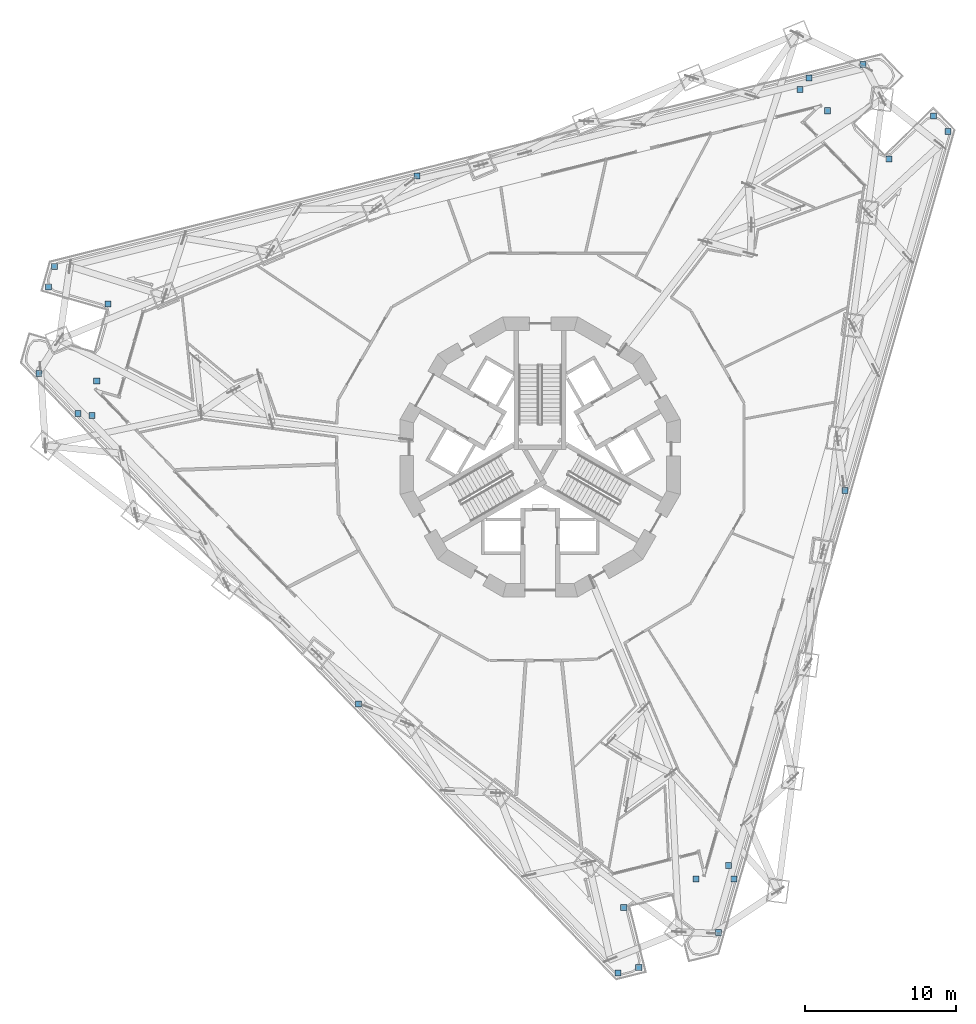
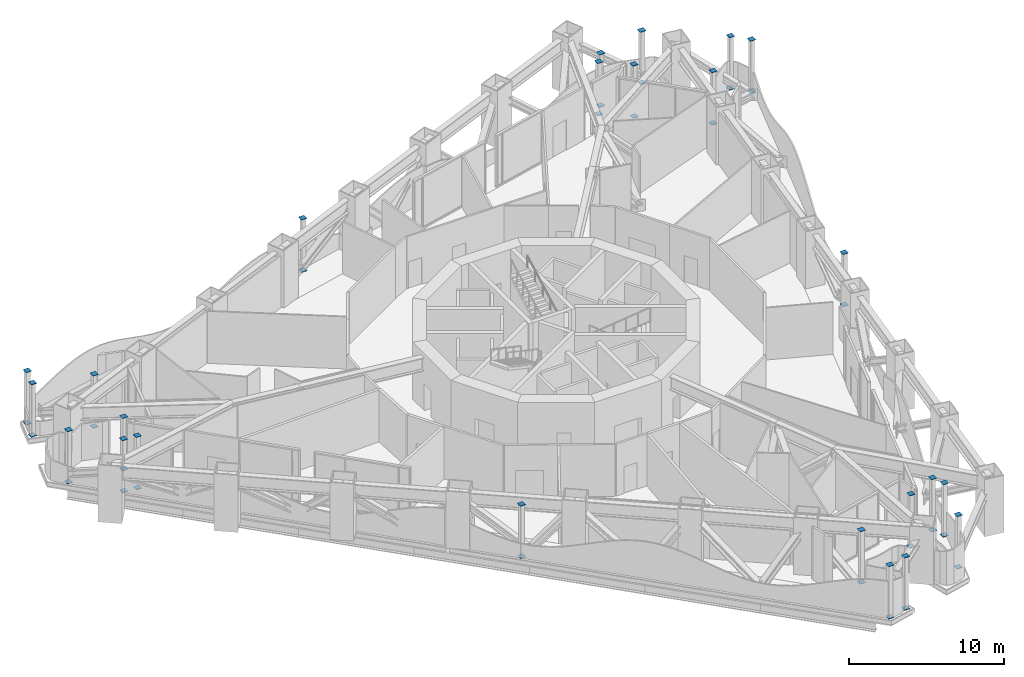
# One storey, part 18 of 26: 48 discrete accessories.
"""IFC4 building model written with IfcOpenShell, lengths in metres."""

import ifcopenshell
import ifcopenshell.guid

model = None  # the IFC model being written
_history = None  # IfcOwnerHistory: only IFC2X3 demands one
_inside = {}  # id of a spatial element -> (the spatial element, [elements in it])
_under = {}  # id of a project, library or spatial element -> (it, [spatial elements below it])
_declared = {}  # id of a project -> (the project, [libraries it declares])
_typed = {}  # id of a type object -> (the type object, [elements of that type])
_made_of = {}  # id of a material, layer set ... -> (it, [elements and type objects made of it])


def new_model(schema):
    """Start an empty IFC model of exactly this schema.

    Asked for "IFC4X3", IfcOpenShell would pick the latest addendum, in which some entities
    have other attributes; the version numbers below select the first issue.
    IFC2X3 requires an IfcOwnerHistory on every rooted entity: one is made here for all.
    """
    global model, _history
    if schema == "IFC4X3":
        model = ifcopenshell.file(schema_version=(4, 3, 0, 0))
    else:
        model = ifcopenshell.file(schema=schema)
    _inside.clear()
    _under.clear()
    _declared.clear()
    _typed.clear()
    _made_of.clear()
    _history = None
    if model.schema == "IFC2X3":
        org = make("IfcOrganization", Name="unknown")
        user = make(
            "IfcPersonAndOrganization",
            ThePerson=make("IfcPerson", FamilyName="unknown"),
            TheOrganization=org,
        )
        app = make(
            "IfcApplication",
            ApplicationDeveloper=org,
            Version="unknown",
            ApplicationFullName="unknown",
            ApplicationIdentifier="unknown",
        )
        _history = make(
            "IfcOwnerHistory",
            OwningUser=user,
            OwningApplication=app,
            ChangeAction="ADDED",
            CreationDate=0,
        )
    return model


def make(cls, **values):
    """One entity of the class cls with the attributes given. An attribute that is None is left unset."""
    return model.create_entity(
        cls, **{name: value for name, value in values.items() if value is not None}
    )


def rooted(cls, **values):
    """An entity with a GlobalId (a new one), such as an element, a storey or a relation."""
    return make(cls, GlobalId=ifcopenshell.guid.new(), OwnerHistory=_history, **values)


def si_unit(unit_type, name, prefix=None):
    """IfcSIUnit, for example si_unit("LENGTHUNIT", "METRE", prefix="MILLI")."""
    return make("IfcSIUnit", UnitType=unit_type, Prefix=prefix, Name=name)


def assignment(units):
    """IfcUnitAssignment: the units of a project."""
    return None if units is None else make("IfcUnitAssignment", Units=units)


def point(xyz):
    """IfcCartesianPoint."""
    return None if xyz is None else make("IfcCartesianPoint", Coordinates=xyz)


def direction(xyz):
    """IfcDirection."""
    return None if xyz is None else make("IfcDirection", DirectionRatios=xyz)


def frame(location, z_axis=None, x_axis=None):
    """IfcAxis2Placement3D, a coordinate frame: its origin and axes. An axis left out is left unset."""
    return make(
        "IfcAxis2Placement3D",
        Location=point(location),
        Axis=direction(z_axis),
        RefDirection=direction(x_axis),
    )


def frame_2d(location, x_axis=None):
    """IfcAxis2Placement2D, a coordinate frame in the plane: its origin and x axis."""
    return make(
        "IfcAxis2Placement2D", Location=point(location), RefDirection=direction(x_axis)
    )


def origin():
    """The frame at (0, 0, 0) with its axes left unset."""
    return frame((0.0, 0.0, 0.0))


def origin_2d():
    """The frame at (0, 0) in the plane with its x axis left unset."""
    return frame_2d((0.0, 0.0))


def place(relative_to, where):
    """IfcLocalPlacement: puts the frame where relative to a parent placement (None: the world)."""
    return make(
        "IfcLocalPlacement", PlacementRelTo=relative_to, RelativePlacement=where
    )


def context(
    kind, dimensions, precision=None, world=None, true_north=None, identifier=None
):
    """IfcGeometricRepresentationContext, for example the 3D "Model" context."""
    return make(
        "IfcGeometricRepresentationContext",
        ContextIdentifier=identifier,
        ContextType=kind,
        CoordinateSpaceDimension=dimensions,
        Precision=precision,
        WorldCoordinateSystem=world,
        TrueNorth=true_north,
    )


def subcontext(parent, identifier, kind, view, scale=None):
    """IfcGeometricRepresentationSubContext, for example "Body" below "Model"."""
    return make(
        "IfcGeometricRepresentationSubContext",
        ContextIdentifier=identifier,
        ContextType=kind,
        ParentContext=parent,
        TargetScale=scale,
        TargetView=view,
    )


def project(units=None, contexts=None):
    """IfcProject with its units and contexts."""
    return rooted(
        "IfcProject",
        Name="project",
        RepresentationContexts=contexts,
        UnitsInContext=assignment(units),
    )


def spatial(cls, under=None, at=None, **own):
    """A site, building, storey or space (cls), placed at a placement, below another one or the project."""
    s = rooted(cls, ObjectPlacement=at, **own)
    if under is not None:
        _under.setdefault(under.id(), (under, []))[1].append(s)
    return s


def profile(cls, at=None, kind="AREA", **sizes):
    """A parametric profile (cls). Its sizes go by their IFC names, for example OverallWidth=200.0."""
    return make(cls, ProfileType=kind, Position=at, **sizes)


def rectangle(**sizes):
    """IfcRectangleProfileDef."""
    return profile("IfcRectangleProfileDef", **sizes)


def extrude(swept, where, along, depth):
    """IfcExtrudedAreaSolid: the profile swept, set in the frame where, extruded along a direction by depth."""
    return make(
        "IfcExtrudedAreaSolid",
        SweptArea=swept,
        Position=where,
        ExtrudedDirection=direction(along),
        Depth=depth,
    )


def shape(context_of_items, identifier, shape_type, items):
    """IfcShapeRepresentation: the items that make up one representation, for example the "Body"."""
    return make(
        "IfcShapeRepresentation",
        ContextOfItems=context_of_items,
        RepresentationIdentifier=identifier,
        RepresentationType=shape_type,
        Items=items,
    )


def material(Name=None, Category=None):
    """IfcMaterial."""
    return make("IfcMaterial", Name=Name, Category=Category)


def made_of(thing, what):
    """Note that an element or type object is made of a material, layer set ...; save() writes the relation."""
    if what is not None:
        _made_of.setdefault(what.id(), (what, []))[1].append(thing)
    return thing


def element(
    cls,
    number,
    at=None,
    inside=None,
    cuts=None,
    type_object=None,
    material=None,
    context=None,
    identifier="Body",
    shape_type=None,
    held_by="IfcProductDefinitionShape",
    body=None,
    shapes=None,
    **own,
):
    """One element of the class cls, such as IfcWall. Its Tag is "e" and its number.

    at: its placement. inside: the storey or other place that contains it. cuts: it is an
    opening in that element (IfcRelVoidsElement). A single representation is given by context,
    identifier, shape_type and body (its items); several are given by shapes. held_by: the class
    of the entity that holds the representations. save() writes the other relations.
    """
    e = rooted(cls, Tag="e%d" % number, ObjectPlacement=at, **own)
    if body is not None:
        shapes = [shape(context, identifier, shape_type, body)]
    if shapes is not None:
        e.Representation = make(held_by, Representations=shapes)
    if inside is not None:
        _inside.setdefault(inside.id(), (inside, []))[1].append(e)
    if cuts is not None:
        rooted(
            "IfcRelVoidsElement", RelatingBuildingElement=cuts, RelatedOpeningElement=e
        )
    if type_object is not None:
        _typed.setdefault(type_object.id(), (type_object, []))[1].append(e)
    return made_of(e, material)


def aggregate(whole, parts):
    """IfcRelAggregates: a whole, such as a stair, and the parts it consists of."""
    return rooted("IfcRelAggregates", RelatingObject=whole, RelatedObjects=parts)


def save(model, path):
    """Write the relations noted so far, then the file.

    IfcRelAggregates (storeys below a building ...), IfcRelContainedInSpatialStructure (elements
    in a storey), IfcRelDefinesByType, IfcRelAssociatesMaterial and IfcRelDeclares: one each for
    every whole, place, type object, material and project.
    """
    for whole, parts in _under.values():
        aggregate(whole, parts)
    for where, things in _inside.values():
        rooted(
            "IfcRelContainedInSpatialStructure",
            RelatedElements=things,
            RelatingStructure=where,
        )
    for kind, things in _typed.values():
        rooted("IfcRelDefinesByType", RelatedObjects=things, RelatingType=kind)
    for what, things in _made_of.values():
        rooted("IfcRelAssociatesMaterial", RelatedObjects=things, RelatingMaterial=what)
    for by, libraries in _declared.values():
        rooted("IfcRelDeclares", RelatingContext=by, RelatedDefinitions=libraries)
    model.write(path)


model = new_model("IFC4")

# Units and contexts
model_context = context("Model", 3, precision=1e-05, world=origin(), true_north=direction((0.0, 1.0)))
body_context = subcontext(model_context, "Body", "Model", "MODEL_VIEW")
ifc_project = project(units=[si_unit("LENGTHUNIT", "METRE"), si_unit("AREAUNIT", "SQUARE_METRE"), si_unit("VOLUMEUNIT", "CUBIC_METRE"), si_unit("PLANEANGLEUNIT", "RADIAN"), si_unit("MASSUNIT", "GRAM", prefix="KILO")], contexts=[model_context])

# Site, building, storey
site_placement = place(None, origin())
site = spatial("IfcSite", under=ifc_project, at=site_placement, CompositionType="ELEMENT")
building_placement = place(site_placement, origin())
building = spatial("IfcBuilding", under=site, at=building_placement, Name="Trine Commons Tower", CompositionType="ELEMENT")
storey_placement = place(building_placement, frame((0.0, 0.0, 119.699951171875)))
storey = spatial("IfcBuildingStorey", under=building, at=storey_placement, Name="L30", CompositionType="ELEMENT", Elevation=119.699951171875)

# Discrete accessories
ifc_material = material(Name="Structural steel ASTM A572 Gr50", Category="steel")
for number, where, z_axis, x_axis, name in (
    (1, (46.833740234375, 68.0263671875, 0.0), (0.0, 0.0, 1.0), (1.0, 0.0, 0.0), "Post base plate SP3-11"),
    (2, (46.833740234375, 68.0263671875, 4.1201171875), (0.0, 0.0, 1.0), (1.0, 0.0, 0.0), "Post cap plate SP3-11"),
    (3, (50.648193359375, 67.524169921875, 0.0), (0.0, 0.0, 1.0), (1.0, 0.0, 0.0), "Post base plate SP3-12"),
    (4, (50.648193359375, 67.524169921875, 4.1201171875), (0.0, 0.0, 1.0), (1.0, 0.0, 0.0), "Post cap plate SP3-12"),
    (5, (50.347900390625, 65.243896484375, 0.0), (0.0, 0.0, 1.0), (1.0, 0.0, 0.0), "Post base plate SP3-13"),
    (6, (50.347900390625, 65.243896484375, 4.1201171875), (0.0, 0.0, 1.0), (1.0, 0.0, 0.0), "Post cap plate SP3-13"),
    (7, (49.400146484375, 65.36865234375, 0.0), (0.0, 0.0, 1.0), (1.0, 0.0, 0.0), "Post base plate SP3-14"),
    (8, (49.400146484375, 65.36865234375, 4.1201171875), (0.0, 0.0, 1.0), (1.0, 0.0, 0.0), "Post cap plate SP3-14"),
    (9, (51.394287109375, 72.627197265625, 0.0), (0.0, 0.0, 1.0), (1.0, 0.0, 0.0), "Post base plate SP3-21"),
    (10, (51.394287109375, 72.627197265625, 4.1201171875), (0.0, 0.0, 1.0), (1.0, 0.0, 0.0), "Post cap plate SP3-21"),
    (11, (47.4541015625, 73.7568359375, 0.0), (0.0, 0.0, 1.0), (1.0, 0.0, 0.0), "Post base plate SP3-22"),
    (12, (47.4541015625, 73.7568359375, 4.1201171875), (0.0, 0.0, 1.0), (1.0, 0.0, 0.0), "Post cap plate SP3-22"),
    (13, (47.843505859375, 75.1142578125, 0.0), (0.0, 0.0, 1.0), (1.0, 0.0, 0.0), "Post base plate SP3-23"),
    (14, (47.843505859375, 75.1142578125, 4.1201171875), (0.0, 0.0, 1.0), (1.0, 0.0, 0.0), "Post cap plate SP3-23"),
    (15, (71.84716796875, 81.09912109375, 0.0), (0.0, 0.0, 1.0), (1.0, 0.0, 0.0), "Post base plate SP3-24"),
    (16, (71.84716796875, 81.09912109375, 4.1201171875), (0.0, 0.0, 1.0), (1.0, 0.0, 0.0), "Post cap plate SP3-24"),
    (17, (85.532470703125, 32.6630859375, 0.0), (0.0, 0.0, 1.0), (1.0, 0.0, 0.0), "Post base plate SP3-31"),
    (18, (85.532470703125, 32.6630859375, 4.1201171875), (0.0, 0.0, 1.0), (1.0, 0.0, 0.0), "Post cap plate SP3-31"),
    (19, (86.524169921875, 28.68603515625, 0.0), (0.0, 0.0, 1.0), (1.0, 0.0, 0.0), "Post base plate SP3-32"),
    (20, (86.524169921875, 28.68603515625, 4.1201171875), (0.0, 0.0, 1.0), (1.0, 0.0, 0.0), "Post cap plate SP3-32"),
    (21, (85.154052734375, 28.344482421875, 0.0), (0.0, 0.0, 1.0), (1.0, 0.0, 0.0), "Post base plate SP3-33"),
    (22, (85.154052734375, 28.344482421875, 4.1201171875), (0.0, 0.0, 1.0), (1.0, 0.0, 0.0), "Post cap plate SP3-33"),
    (23, (67.96923828125, 46.139892578125, 0.0), (0.0, 0.0, 1.0), (1.0, 0.0, 0.0), "Post base plate SP3-34"),
    (24, (67.96923828125, 46.139892578125, 4.1201171875), (0.0, 0.0, 1.0), (1.0, 0.0, 0.0), "Post cap plate SP3-34"),
    (25, (91.797119140625, 31.013916015625, 0.0), (0.0, 0.0, 1.0), (1.0, 0.0, 0.0), "Post base plate SP3-41"),
    (26, (91.797119140625, 31.013916015625, 4.1201171875), (0.0, 0.0, 1.0), (1.0, 0.0, 0.0), "Post cap plate SP3-41"),
    (27, (90.32470703125, 34.568603515625, 0.0), (0.0, 0.0, 1.0), (1.0, 0.0, 0.0), "Post base plate SP3-42"),
    (28, (90.32470703125, 34.568603515625, 4.1201171875), (0.0, 0.0, 1.0), (1.0, 0.0, 0.0), "Post cap plate SP3-42"),
    (29, (92.44970703125, 35.44873046875, 0.0), (0.0, 0.0, 1.0), (1.0, 0.0, 0.0), "Post base plate SP3-43"),
    (30, (92.44970703125, 35.44873046875, 4.1201171875), (0.0, 0.0, 1.0), (1.0, 0.0, 0.0), "Post cap plate SP3-43"),
    (31, (92.815673828125, 34.5654296875, 0.0), (0.0, 0.0, 1.0), (1.0, 0.0, 0.0), "Post base plate SP3-44"),
    (32, (92.815673828125, 34.5654296875, 4.1201171875), (0.0, 0.0, 1.0), (1.0, 0.0, 0.0), "Post cap plate SP3-44"),
    (33, (101.369140625, 88.459716796875, 0.0), (0.0, 0.0, 1.0), (1.0, 0.0, 0.0), "Post base plate SP3-51"),
    (34, (101.369140625, 88.459716796875, 4.1201171875), (0.0, 0.0, 1.0), (1.0, 0.0, 0.0), "Post cap plate SP3-51"),
    (35, (99.02685546875, 85.4072265625, 0.0), (0.0, 0.0, 1.0), (1.0, 0.0, 0.0), "Post base plate SP3-52"),
    (36, (99.02685546875, 85.4072265625, 4.1201171875), (0.0, 0.0, 1.0), (1.0, 0.0, 0.0), "Post cap plate SP3-52"),
    (37, (97.2021484375, 86.8076171875, 0.0), (0.0, 0.0, 1.0), (1.0, 0.0, 0.0), "Post base plate SP3-53"),
    (38, (97.2021484375, 86.8076171875, 4.1201171875), (0.0, 0.0, 1.0), (1.0, 0.0, 0.0), "Post cap plate SP3-53"),
    (39, (97.7841796875, 87.56591796875, 0.0), (0.0, 0.0, 1.0), (1.0, 0.0, 0.0), "Post base plate SP3-54"),
    (40, (97.7841796875, 87.56591796875, 4.1201171875), (0.0, 0.0, 1.0), (1.0, 0.0, 0.0), "Post cap plate SP3-54"),
    (41, (103.0732421875, 82.209716796875, 0.0), (0.0, 0.0, 1.0), (1.0, 0.0, 0.0), "Post base plate SP3-61"),
    (42, (103.0732421875, 82.209716796875, 4.1201171875), (0.0, 0.0, 1.0), (1.0, 0.0, 0.0), "Post cap plate SP3-61"),
    (43, (106.021728515625, 85.056884765625, 0.0), (0.0, 0.0, 1.0), (1.0, 0.0, 0.0), "Post base plate SP3-62"),
    (44, (106.021728515625, 85.056884765625, 4.1201171875), (0.0, 0.0, 1.0), (1.0, 0.0, 0.0), "Post cap plate SP3-62"),
    (45, (107.00244140625, 84.041259765625, 0.0), (0.0, 0.0, 1.0), (1.0, 0.0, 0.0), "Post base plate SP3-63"),
    (46, (107.00244140625, 84.041259765625, 4.1201171875), (0.0, 0.0, 1.0), (1.0, 0.0, 0.0), "Post cap plate SP3-63"),
    (47, (100.18359375, 60.260986328125, 0.0), (0.0, 0.0, 1.0), (1.0, 0.0, 0.0), "Post base plate SP3-64"),
    (48, (100.18359375, 60.260986328125, 4.1201171875), (0.0, 0.0, 1.0), (1.0, 0.0, 0.0), "Post cap plate SP3-64"),
):
    element("IfcDiscreteAccessory", number, at=place(storey_placement, frame(where, z_axis=z_axis, x_axis=x_axis)), inside=storey, material=ifc_material, Name=name, PredefinedType="BRACKET", context=body_context, shape_type="SweptSolid", body=[
        extrude(rectangle(XDim=0.39990234375, YDim=0.39990234375, at=origin_2d()), origin(), (0.0, 0.0, 1.0), 0.030029296875),
    ])

save(model, "model.ifc")
